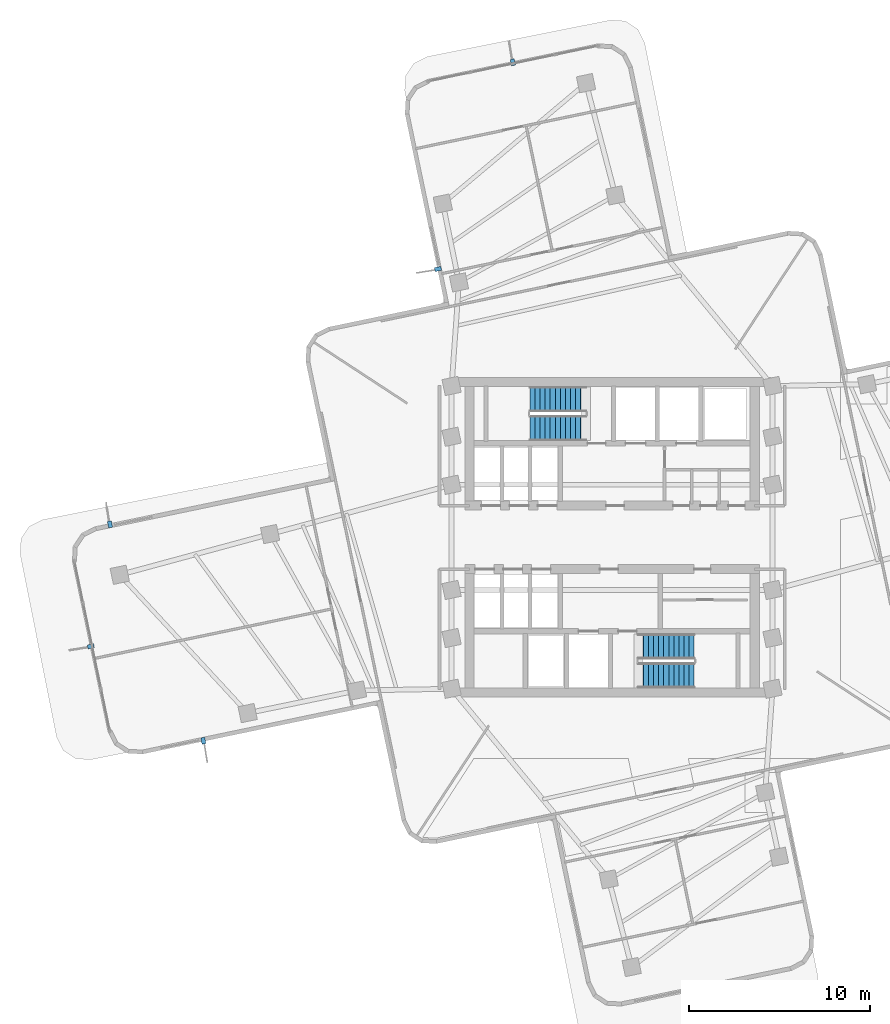
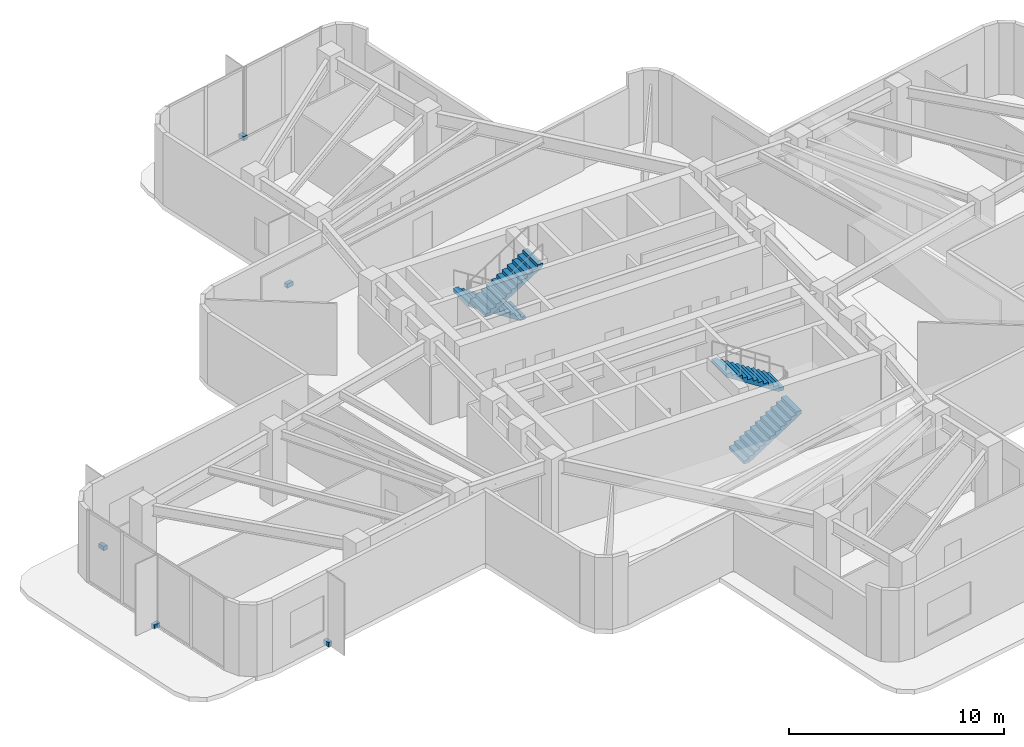
# One storey, part 9 of 12: 5 discrete accessories, 4 stair flights, 2 elements without a shape of their own.
"""IFC4 building model written with IfcOpenShell, lengths in metres."""

from ifc_helpers import new_model, si_unit, direction, frame, origin, origin_2d, place, context, subcontext, project, spatial, polyline, rectangle, outline, extrude, material, type_object, element, aggregate, save


model = new_model("IFC4")

# Units and contexts
model_context = context("Model", 3, precision=1e-05, world=origin(), true_north=direction((0.0, 1.0)))
body_context = subcontext(model_context, "Body", "Model", "MODEL_VIEW")
ifc_project = project(units=[si_unit("LENGTHUNIT", "METRE"), si_unit("AREAUNIT", "SQUARE_METRE"), si_unit("VOLUMEUNIT", "CUBIC_METRE"), si_unit("PLANEANGLEUNIT", "RADIAN"), si_unit("MASSUNIT", "GRAM", prefix="KILO")], contexts=[model_context])

# Site, building, storey
site_placement = place(None, origin())
site = spatial("IfcSite", under=ifc_project, at=site_placement, CompositionType="ELEMENT")
building_placement = place(site_placement, origin())
building = spatial("IfcBuilding", under=site, at=building_placement, Name="Solmarez Civic Tower", CompositionType="ELEMENT")
storey_placement = place(building_placement, frame((0.0, 0.0, 111.9599609375)))
storey = spatial("IfcBuildingStorey", under=building, at=storey_placement, Name="L29", CompositionType="ELEMENT", Elevation=111.9599609375)

# Stair, stair flights
ifc_material_1 = material(Name="Concrete C50/60", Category="concrete")
stair_type = type_object("IfcStairType", Name="STAIR-DOGLEG-140W-24R-1800", PredefinedType="HALF_TURN_STAIR", material=ifc_material_1)
stair_1_placement = place(storey_placement, origin())
stair_1 = element("IfcStair", 1, at=stair_1_placement, inside=storey, type_object=stair_type, Name="L29 North Core Protected Exit Stair ST-1", PredefinedType="HALF_TURN_STAIR")
stair_flight_type = type_object("IfcStairFlightType", Name="FLIGHT-DOGLEG-140W-12R-1800", PredefinedType="STRAIGHT", material=ifc_material_1)
stair_flight_1_placement = place(storey_placement, frame((-1.449951171875, 7.6201171875, 0.0), z_axis=(0.0, 0.0, 1.0), x_axis=(-1.0, 0.0, 0.0)))
stair_flight_1 = element("IfcStairFlight", 2, at=stair_flight_1_placement, type_object=stair_flight_type, Name="ST-1 flight 1", NumberOfRisers=12, NumberOfTreads=11, PredefinedType="STRAIGHT", RiserHeight=0.18, TreadLength=0.28, context=body_context, shape_type="SweptSolid", body=[
    extrude(outline(polyline([(0.0, 0.0), (0.0, 0.179931640625), (0.280029296875, 0.179931640625), (0.280029296875, 0.360107421875), (0.56005859375, 0.360107421875), (0.56005859375, 0.5400390625), (0.840087890625, 0.5400390625), (0.840087890625, 0.719970703125), (1.1201171875, 0.719970703125), (1.1201171875, 0.89990234375), (1.39990234375, 0.89990234375), (1.39990234375, 1.080078125), (1.679931640625, 1.080078125), (1.679931640625, 1.260009765625), (1.9599609375, 1.260009765625), (1.9599609375, 1.43994140625), (2.239990234375, 1.43994140625), (2.239990234375, 1.6201171875), (2.52001953125, 1.6201171875), (2.52001953125, 1.800048828125), (2.800048828125, 1.800048828125), (2.800048828125, 1.97998046875), (3.080078125, 1.97998046875), (3.080078125, 2.159912109375), (3.080078125, 1.789794921875), (0.295654296875, 0.0), (0.0, 0.0)])), frame((0.0, 0.699951171875, 0.0), z_axis=(0.0, -1.0, 0.0), x_axis=(1.0, 0.0, 0.0)), (0.0, 0.0, 1.0), 1.39990234375),
])
stair_flight_2_placement = place(storey_placement, frame((-4.530029296875, 6.02001953125, 2.16015625), z_axis=(0.0, 0.0, 1.0), x_axis=(1.0, 0.0, 0.0)))
stair_flight_2 = element("IfcStairFlight", 3, at=stair_flight_2_placement, type_object=stair_flight_type, Name="ST-1 flight 2", NumberOfRisers=12, NumberOfTreads=11, PredefinedType="STRAIGHT", RiserHeight=0.18, TreadLength=0.28, context=body_context, shape_type="SweptSolid", body=[
    extrude(outline(polyline([(0.0, 0.0), (0.0, 0.179931640625), (0.280029296875, 0.179931640625), (0.280029296875, 0.360107421875), (0.56005859375, 0.360107421875), (0.56005859375, 0.5400390625), (0.840087890625, 0.5400390625), (0.840087890625, 0.719970703125), (1.1201171875, 0.719970703125), (1.1201171875, 0.89990234375), (1.39990234375, 0.89990234375), (1.39990234375, 1.080078125), (1.679931640625, 1.080078125), (1.679931640625, 1.260009765625), (1.9599609375, 1.260009765625), (1.9599609375, 1.43994140625), (2.239990234375, 1.43994140625), (2.239990234375, 1.6201171875), (2.52001953125, 1.6201171875), (2.52001953125, 1.800048828125), (2.800048828125, 1.800048828125), (2.800048828125, 1.97998046875), (3.080078125, 1.97998046875), (3.080078125, 2.159912109375), (3.080078125, 1.789794921875), (0.295654296875, 0.0), (0.0, 0.0)])), frame((0.0, 0.699951171875, 0.0), z_axis=(0.0, -1.0, 0.0), x_axis=(1.0, 0.0, 0.0)), (0.0, 0.0, 1.0), 1.39990234375),
])
aggregate(stair_1, [stair_flight_1, stair_flight_2])

stair_2_placement = place(storey_placement, origin())
stair_2 = element("IfcStair", 4, at=stair_2_placement, inside=storey, type_object=stair_type, Name="L29 South Core Protected Exit Stair ST-2", PredefinedType="HALF_TURN_STAIR")
stair_flight_3_placement = place(storey_placement, frame((1.449951171875, -7.6201171875, 0.0), z_axis=(0.0, 0.0, 1.0), x_axis=(1.0, 0.0, 0.0)))
stair_flight_3 = element("IfcStairFlight", 5, at=stair_flight_3_placement, type_object=stair_flight_type, Name="ST-2 flight 1", NumberOfRisers=12, NumberOfTreads=11, PredefinedType="STRAIGHT", RiserHeight=0.18, TreadLength=0.28, context=body_context, shape_type="SweptSolid", body=[
    extrude(outline(polyline([(0.0, 0.0), (0.0, 0.179931640625), (0.280029296875, 0.179931640625), (0.280029296875, 0.360107421875), (0.56005859375, 0.360107421875), (0.56005859375, 0.5400390625), (0.840087890625, 0.5400390625), (0.840087890625, 0.719970703125), (1.1201171875, 0.719970703125), (1.1201171875, 0.89990234375), (1.39990234375, 0.89990234375), (1.39990234375, 1.080078125), (1.679931640625, 1.080078125), (1.679931640625, 1.260009765625), (1.9599609375, 1.260009765625), (1.9599609375, 1.43994140625), (2.239990234375, 1.43994140625), (2.239990234375, 1.6201171875), (2.52001953125, 1.6201171875), (2.52001953125, 1.800048828125), (2.800048828125, 1.800048828125), (2.800048828125, 1.97998046875), (3.080078125, 1.97998046875), (3.080078125, 2.159912109375), (3.080078125, 1.789794921875), (0.295654296875, 0.0), (0.0, 0.0)])), frame((0.0, 0.699951171875, 0.0), z_axis=(0.0, -1.0, 0.0), x_axis=(1.0, 0.0, 0.0)), (0.0, 0.0, 1.0), 1.39990234375),
])
stair_flight_4_placement = place(storey_placement, frame((4.530029296875, -6.02001953125, 2.16015625), z_axis=(0.0, 0.0, 1.0), x_axis=(-1.0, 0.0, 0.0)))
stair_flight_4 = element("IfcStairFlight", 6, at=stair_flight_4_placement, type_object=stair_flight_type, Name="ST-2 flight 2", NumberOfRisers=12, NumberOfTreads=11, PredefinedType="STRAIGHT", RiserHeight=0.18, TreadLength=0.28, context=body_context, shape_type="SweptSolid", body=[
    extrude(outline(polyline([(0.0, 0.0), (0.0, 0.179931640625), (0.280029296875, 0.179931640625), (0.280029296875, 0.360107421875), (0.56005859375, 0.360107421875), (0.56005859375, 0.5400390625), (0.840087890625, 0.5400390625), (0.840087890625, 0.719970703125), (1.1201171875, 0.719970703125), (1.1201171875, 0.89990234375), (1.39990234375, 0.89990234375), (1.39990234375, 1.080078125), (1.679931640625, 1.080078125), (1.679931640625, 1.260009765625), (1.9599609375, 1.260009765625), (1.9599609375, 1.43994140625), (2.239990234375, 1.43994140625), (2.239990234375, 1.6201171875), (2.52001953125, 1.6201171875), (2.52001953125, 1.800048828125), (2.800048828125, 1.800048828125), (2.800048828125, 1.97998046875), (3.080078125, 1.97998046875), (3.080078125, 2.159912109375), (3.080078125, 1.789794921875), (0.295654296875, 0.0), (0.0, 0.0)])), frame((0.0, 0.699951171875, 0.0), z_axis=(0.0, -1.0, 0.0), x_axis=(1.0, 0.0, 0.0)), (0.0, 0.0, 1.0), 1.39990234375),
])
aggregate(stair_2, [stair_flight_3, stair_flight_4])

# Discrete accessories
ifc_material_2 = material(Name="Stainless Steel Grade 1.4401", Category="steel")
discrete_accessory_type = type_object("IfcDiscreteAccessoryType", Name="BRACKET-SS-FIN", PredefinedType="BRACKET", material=ifc_material_2)
for number, where, z_axis, x_axis, name in (
    (7, (-22.5419921875, -11.217041015625, -0.06005859375), (0.0, 0.0, 1.0), (0.204495844898, -0.978867431995, 0.0), "L29 Stainless Fin Support Bracket FIN-L29-01"),
    (8, (-28.7490234375, -6.006103515625, -0.06005859375), (0.0, 0.0, 1.0), (-0.978852455281, -0.204567521346, 0.0), "L29 Stainless Fin Support Bracket FIN-L29-02"),
    (9, (-27.693115234375, 0.721923828125, -0.06005859375), (0.0, 0.0, 1.0), (-0.204552640285, 0.978855565113, 0.0), "L29 Stainless Fin Support Bracket FIN-L29-03"),
    (10, (-9.60009765625, 14.802001953125, -0.06005859375), (0.0, 0.0, 1.0), (-0.978873437001, -0.204467098412, 0.0), "L29 Stainless Fin Support Bracket FIN-L29-04"),
    (11, (-5.47412109375, 26.2041015625, -0.06005859375), (0.0, 0.0, 1.0), (-0.204588444214, 0.978848082439, 0.0), "L29 Stainless Fin Support Bracket FIN-L29-05"),
):
    element("IfcDiscreteAccessory", number, at=place(storey_placement, frame(where, z_axis=z_axis, x_axis=x_axis)), inside=storey, type_object=discrete_accessory_type, Name=name, PredefinedType="BRACKET", context=body_context, shape_type="SweptSolid", body=[
        extrude(rectangle(XDim=0.360107421875, YDim=0.219970703125, at=origin_2d()), origin(), (0.0, 0.0, 1.0), 0.239990234375),
    ])

save(model, "model.ifc")
